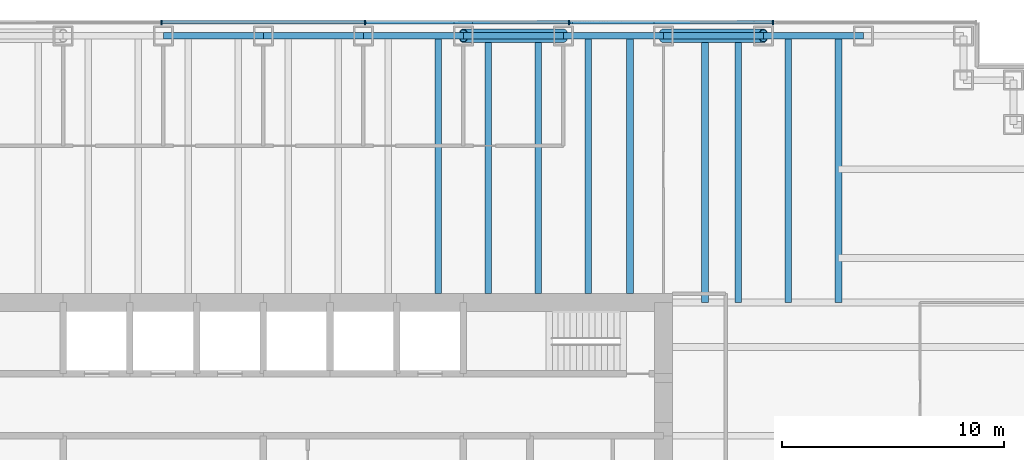
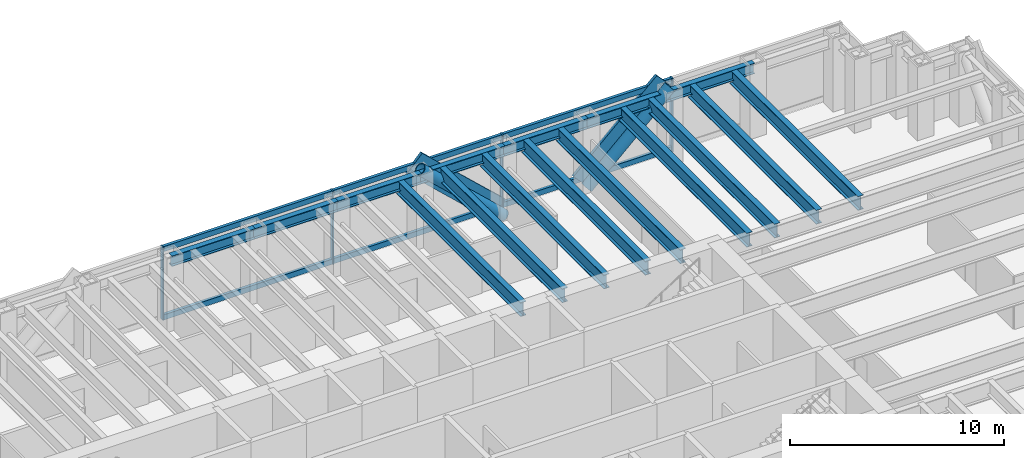
# One storey, part 6 of 14: 16 beams, 14 members, 1 element without a shape of its own.
"""IFC4 building model written with IfcOpenShell, lengths in metres."""

import ifcopenshell
import ifcopenshell.guid

model = None  # the IFC model being written
_history = None  # IfcOwnerHistory: only IFC2X3 demands one
_inside = {}  # id of a spatial element -> (the spatial element, [elements in it])
_under = {}  # id of a project, library or spatial element -> (it, [spatial elements below it])
_declared = {}  # id of a project -> (the project, [libraries it declares])
_typed = {}  # id of a type object -> (the type object, [elements of that type])
_made_of = {}  # id of a material, layer set ... -> (it, [elements and type objects made of it])


def new_model(schema):
    """Start an empty IFC model of exactly this schema.

    Asked for "IFC4X3", IfcOpenShell would pick the latest addendum, in which some entities
    have other attributes; the version numbers below select the first issue.
    IFC2X3 requires an IfcOwnerHistory on every rooted entity: one is made here for all.
    """
    global model, _history
    if schema == "IFC4X3":
        model = ifcopenshell.file(schema_version=(4, 3, 0, 0))
    else:
        model = ifcopenshell.file(schema=schema)
    _inside.clear()
    _under.clear()
    _declared.clear()
    _typed.clear()
    _made_of.clear()
    _history = None
    if model.schema == "IFC2X3":
        org = make("IfcOrganization", Name="unknown")
        user = make(
            "IfcPersonAndOrganization",
            ThePerson=make("IfcPerson", FamilyName="unknown"),
            TheOrganization=org,
        )
        app = make(
            "IfcApplication",
            ApplicationDeveloper=org,
            Version="unknown",
            ApplicationFullName="unknown",
            ApplicationIdentifier="unknown",
        )
        _history = make(
            "IfcOwnerHistory",
            OwningUser=user,
            OwningApplication=app,
            ChangeAction="ADDED",
            CreationDate=0,
        )
    return model


def make(cls, **values):
    """One entity of the class cls with the attributes given. An attribute that is None is left unset."""
    return model.create_entity(
        cls, **{name: value for name, value in values.items() if value is not None}
    )


def rooted(cls, **values):
    """An entity with a GlobalId (a new one), such as an element, a storey or a relation."""
    return make(cls, GlobalId=ifcopenshell.guid.new(), OwnerHistory=_history, **values)


def si_unit(unit_type, name, prefix=None):
    """IfcSIUnit, for example si_unit("LENGTHUNIT", "METRE", prefix="MILLI")."""
    return make("IfcSIUnit", UnitType=unit_type, Prefix=prefix, Name=name)


def assignment(units):
    """IfcUnitAssignment: the units of a project."""
    return None if units is None else make("IfcUnitAssignment", Units=units)


def point(xyz):
    """IfcCartesianPoint."""
    return None if xyz is None else make("IfcCartesianPoint", Coordinates=xyz)


def direction(xyz):
    """IfcDirection."""
    return None if xyz is None else make("IfcDirection", DirectionRatios=xyz)


def frame(location, z_axis=None, x_axis=None):
    """IfcAxis2Placement3D, a coordinate frame: its origin and axes. An axis left out is left unset."""
    return make(
        "IfcAxis2Placement3D",
        Location=point(location),
        Axis=direction(z_axis),
        RefDirection=direction(x_axis),
    )


def frame_2d(location, x_axis=None):
    """IfcAxis2Placement2D, a coordinate frame in the plane: its origin and x axis."""
    return make(
        "IfcAxis2Placement2D", Location=point(location), RefDirection=direction(x_axis)
    )


def origin():
    """The frame at (0, 0, 0) with its axes left unset."""
    return frame((0.0, 0.0, 0.0))


def origin_2d():
    """The frame at (0, 0) in the plane with its x axis left unset."""
    return frame_2d((0.0, 0.0))


def place(relative_to, where):
    """IfcLocalPlacement: puts the frame where relative to a parent placement (None: the world)."""
    return make(
        "IfcLocalPlacement", PlacementRelTo=relative_to, RelativePlacement=where
    )


def context(
    kind, dimensions, precision=None, world=None, true_north=None, identifier=None
):
    """IfcGeometricRepresentationContext, for example the 3D "Model" context."""
    return make(
        "IfcGeometricRepresentationContext",
        ContextIdentifier=identifier,
        ContextType=kind,
        CoordinateSpaceDimension=dimensions,
        Precision=precision,
        WorldCoordinateSystem=world,
        TrueNorth=true_north,
    )


def subcontext(parent, identifier, kind, view, scale=None):
    """IfcGeometricRepresentationSubContext, for example "Body" below "Model"."""
    return make(
        "IfcGeometricRepresentationSubContext",
        ContextIdentifier=identifier,
        ContextType=kind,
        ParentContext=parent,
        TargetScale=scale,
        TargetView=view,
    )


def project(units=None, contexts=None):
    """IfcProject with its units and contexts."""
    return rooted(
        "IfcProject",
        Name="project",
        RepresentationContexts=contexts,
        UnitsInContext=assignment(units),
    )


def spatial(cls, under=None, at=None, **own):
    """A site, building, storey or space (cls), placed at a placement, below another one or the project."""
    s = rooted(cls, ObjectPlacement=at, **own)
    if under is not None:
        _under.setdefault(under.id(), (under, []))[1].append(s)
    return s


def profile(cls, at=None, kind="AREA", **sizes):
    """A parametric profile (cls). Its sizes go by their IFC names, for example OverallWidth=200.0."""
    return make(cls, ProfileType=kind, Position=at, **sizes)


def rectangle(**sizes):
    """IfcRectangleProfileDef."""
    return profile("IfcRectangleProfileDef", **sizes)


def hollow_circle(**sizes):
    """IfcCircleHollowProfileDef."""
    return profile("IfcCircleHollowProfileDef", **sizes)


def i_section(**sizes):
    """IfcIShapeProfileDef."""
    return profile("IfcIShapeProfileDef", **sizes)


def extrude(swept, where, along, depth):
    """IfcExtrudedAreaSolid: the profile swept, set in the frame where, extruded along a direction by depth."""
    return make(
        "IfcExtrudedAreaSolid",
        SweptArea=swept,
        Position=where,
        ExtrudedDirection=direction(along),
        Depth=depth,
    )


def shape(context_of_items, identifier, shape_type, items):
    """IfcShapeRepresentation: the items that make up one representation, for example the "Body"."""
    return make(
        "IfcShapeRepresentation",
        ContextOfItems=context_of_items,
        RepresentationIdentifier=identifier,
        RepresentationType=shape_type,
        Items=items,
    )


def material(Name=None, Category=None):
    """IfcMaterial."""
    return make("IfcMaterial", Name=Name, Category=Category)


def material_profile(
    of_material, cross_section, Name=None, Category=None, Priority=None
):
    """IfcMaterialProfile: a cross section and its material."""
    return make(
        "IfcMaterialProfile",
        Name=Name,
        Material=of_material,
        Profile=cross_section,
        Priority=Priority,
        Category=Category,
    )


def profile_set(profiles, Name=None, composite=None):
    """IfcMaterialProfileSet."""
    return make(
        "IfcMaterialProfileSet",
        Name=Name,
        MaterialProfiles=profiles,
        CompositeProfile=composite,
    )


def made_of(thing, what):
    """Note that an element or type object is made of a material, layer set ...; save() writes the relation."""
    if what is not None:
        _made_of.setdefault(what.id(), (what, []))[1].append(thing)
    return thing


def type_object(cls, material=None, **own):
    """A type object (cls), such as IfcWallType, which elements share."""
    return made_of(rooted(cls, **own), material)


def element(
    cls,
    number,
    at=None,
    inside=None,
    cuts=None,
    type_object=None,
    material=None,
    context=None,
    identifier="Body",
    shape_type=None,
    held_by="IfcProductDefinitionShape",
    body=None,
    shapes=None,
    **own,
):
    """One element of the class cls, such as IfcWall. Its Tag is "e" and its number.

    at: its placement. inside: the storey or other place that contains it. cuts: it is an
    opening in that element (IfcRelVoidsElement). A single representation is given by context,
    identifier, shape_type and body (its items); several are given by shapes. held_by: the class
    of the entity that holds the representations. save() writes the other relations.
    """
    e = rooted(cls, Tag="e%d" % number, ObjectPlacement=at, **own)
    if body is not None:
        shapes = [shape(context, identifier, shape_type, body)]
    if shapes is not None:
        e.Representation = make(held_by, Representations=shapes)
    if inside is not None:
        _inside.setdefault(inside.id(), (inside, []))[1].append(e)
    if cuts is not None:
        rooted(
            "IfcRelVoidsElement", RelatingBuildingElement=cuts, RelatedOpeningElement=e
        )
    if type_object is not None:
        _typed.setdefault(type_object.id(), (type_object, []))[1].append(e)
    return made_of(e, material)


def aggregate(whole, parts):
    """IfcRelAggregates: a whole, such as a stair, and the parts it consists of."""
    return rooted("IfcRelAggregates", RelatingObject=whole, RelatedObjects=parts)


def save(model, path):
    """Write the relations noted so far, then the file.

    IfcRelAggregates (storeys below a building ...), IfcRelContainedInSpatialStructure (elements
    in a storey), IfcRelDefinesByType, IfcRelAssociatesMaterial and IfcRelDeclares: one each for
    every whole, place, type object, material and project.
    """
    for whole, parts in _under.values():
        aggregate(whole, parts)
    for where, things in _inside.values():
        rooted(
            "IfcRelContainedInSpatialStructure",
            RelatedElements=things,
            RelatingStructure=where,
        )
    for kind, things in _typed.values():
        rooted("IfcRelDefinesByType", RelatedObjects=things, RelatingType=kind)
    for what, things in _made_of.values():
        rooted("IfcRelAssociatesMaterial", RelatedObjects=things, RelatingMaterial=what)
    for by, libraries in _declared.values():
        rooted("IfcRelDeclares", RelatingContext=by, RelatedDefinitions=libraries)
    model.write(path)


model = new_model("IFC4")

# Units and contexts
model_context = context("Model", 3, precision=1e-05, world=origin(), true_north=direction((0.0, 1.0)))
body_context = subcontext(model_context, "Body", "Model", "MODEL_VIEW")
ifc_project = project(units=[si_unit("LENGTHUNIT", "METRE"), si_unit("AREAUNIT", "SQUARE_METRE"), si_unit("VOLUMEUNIT", "CUBIC_METRE"), si_unit("PLANEANGLEUNIT", "RADIAN"), si_unit("MASSUNIT", "GRAM", prefix="KILO")], contexts=[model_context])

# Site, building, storey
site_placement = place(None, origin())
site = spatial("IfcSite", under=ifc_project, at=site_placement, CompositionType="ELEMENT")
building_placement = place(site_placement, origin())
building = spatial("IfcBuilding", under=site, at=building_placement, Name="Rheinbord Bourse Tower", CompositionType="ELEMENT")
storey_placement = place(building_placement, frame((0.0, 0.0, 232.0)))
storey = spatial("IfcBuildingStorey", under=building, at=storey_placement, Name="L52", CompositionType="ELEMENT", Elevation=232.0)

# Curtain wall, members
ifc_material_1 = material(Name="Dark glass and black aluminium", Category="aluminium")
curtain_wall_type = type_object("IfcCurtainWallType", Name="CW2 DARK GLASS CURTAIN WALL", PredefinedType="USERDEFINED", material=ifc_material_1)
curtain_wall_placement = place(storey_placement, origin())
curtain_wall = element("IfcCurtainWall", 1, at=curtain_wall_placement, inside=storey, type_object=curtain_wall_type, Name="Curtain wall CW2 N L52", ObjectType="UNITISED CURTAIN WALL", PredefinedType="USERDEFINED")
ifc_material_2 = material(Name="Black anodised aluminium", Category="aluminium")
ifc_material_profile_1 = material_profile(ifc_material_2, rectangle(XDim=0.159912109375, YDim=1.2099609375, at=origin_2d()), Name="CW2 DIAGONAL MULLION 1210x160")
ifc_profile_set_1 = profile_set([ifc_material_profile_1], Name="Black anodised aluminium")
member_type_1 = type_object("IfcMemberType", Name="CW2 BLACK DIAGONAL MULLION", PredefinedType="USERDEFINED", material=ifc_profile_set_1)
member_1_placement = place(storey_placement, frame((54.0, 44.60009765625, 0.0), z_axis=(0.73105922506, 0.0, 0.682314010889), x_axis=(0.0, 1.0, 0.0)))
member_1 = element("IfcMember", 2, at=member_1_placement, type_object=member_type_1, Name="CW2 diagonal mullion b", ObjectType="DIAGONAL MULLION", PredefinedType="USERDEFINED", context=body_context, shape_type="SweptSolid", body=[
    extrude(rectangle(XDim=0.159912109375, YDim=1.2099609375, at=origin_2d()), origin(), (0.0, 0.0, 1.0), 6.155517578125),
])
member_2_placement = place(storey_placement, frame((49.5, 44.60009765625, 0.0), z_axis=(-0.73105922506, 0.0, 0.682314010889), x_axis=(0.0, -1.0, 0.0)))
member_2 = element("IfcMember", 3, at=member_2_placement, type_object=member_type_1, Name="CW2 diagonal mullion d", ObjectType="DIAGONAL MULLION", PredefinedType="USERDEFINED", context=body_context, shape_type="SweptSolid", body=[
    extrude(rectangle(XDim=0.159912109375, YDim=1.2099609375, at=origin_2d()), origin(), (0.0, 0.0, 1.0), 6.155517578125),
])
ifc_material_3 = material(Name="Black anodised aluminium", Category="aluminium")
ifc_material_profile_2 = material_profile(ifc_material_3, rectangle(XDim=0.219970703125, YDim=0.070068359375, at=origin_2d()), Name="CW2 MULLION 70x220")
ifc_profile_set_2 = profile_set([ifc_material_profile_2], Name="Black anodised aluminium")
member_type_2 = type_object("IfcMemberType", Name="CW2 BLACK MULLION", PredefinedType="MULLION", material=ifc_profile_set_2)
member_3_placement = place(storey_placement, frame((58.928466796875, 44.60009765625, 0.0), z_axis=(0.0, 0.0, 1.0), x_axis=(0.0, -1.0, 0.0)))
member_3 = element("IfcMember", 4, at=member_3_placement, type_object=member_type_2, Name="CW2 mullion 2", PredefinedType="MULLION", context=body_context, shape_type="SweptSolid", body=[
    extrude(rectangle(XDim=0.219970703125, YDim=0.070068359375, at=origin_2d()), origin(), (0.0, 0.0, 1.0), 4.199951171875),
])
member_4_placement = place(storey_placement, frame((49.757080078125, 44.60009765625, 0.0), z_axis=(0.0, 0.0, 1.0), x_axis=(0.0, -1.0, 0.0)))
member_4 = element("IfcMember", 5, at=member_4_placement, type_object=member_type_2, Name="CW2 mullion 3", PredefinedType="MULLION", context=body_context, shape_type="SweptSolid", body=[
    extrude(rectangle(XDim=0.219970703125, YDim=0.070068359375, at=origin_2d()), origin(), (0.0, 0.0, 1.0), 4.199951171875),
])
member_5_placement = place(storey_placement, frame((40.585693359375, 44.60009765625, 0.0), z_axis=(0.0, 0.0, 1.0), x_axis=(0.0, -1.0, 0.0)))
member_5 = element("IfcMember", 6, at=member_5_placement, type_object=member_type_2, Name="CW2 mullion 4", PredefinedType="MULLION", context=body_context, shape_type="SweptSolid", body=[
    extrude(rectangle(XDim=0.219970703125, YDim=0.070068359375, at=origin_2d()), origin(), (0.0, 0.0, 1.0), 4.199951171875),
])
member_6_placement = place(storey_placement, frame((31.414306640625, 44.60009765625, 0.0), z_axis=(0.0, 0.0, 1.0), x_axis=(0.0, -1.0, 0.0)))
member_6 = element("IfcMember", 7, at=member_6_placement, type_object=member_type_2, Name="CW2 mullion 5", PredefinedType="MULLION", context=body_context, shape_type="SweptSolid", body=[
    extrude(rectangle(XDim=0.219970703125, YDim=0.070068359375, at=origin_2d()), origin(), (0.0, 0.0, 1.0), 4.199951171875),
])
ifc_material_4 = material(Name="Black anodised aluminium", Category="aluminium")
ifc_material_profile_3 = material_profile(ifc_material_4, rectangle(XDim=0.159912109375, YDim=0.300048828125, at=origin_2d()), Name="CW2 TRANSOM 300x160")
ifc_profile_set_3 = profile_set([ifc_material_profile_3], Name="Black anodised aluminium")
member_type_3 = type_object("IfcMemberType", Name="CW2 BLACK TRANSOM", PredefinedType="USERDEFINED", material=ifc_profile_set_3)
member_7_placement = place(storey_placement, frame((58.8935546875, 44.60009765625, 0.14990234375), z_axis=(-1.0, 0.0, 0.0), x_axis=(0.0, -1.0, 0.0)))
member_7 = element("IfcMember", 8, at=member_7_placement, type_object=member_type_3, Name="CW2 transom 2.1", ObjectType="TRANSOM", PredefinedType="USERDEFINED", context=body_context, shape_type="SweptSolid", body=[
    extrude(rectangle(XDim=0.159912109375, YDim=0.300048828125, at=origin_2d()), origin(), (0.0, 0.0, 1.0), 9.101318359375),
])
member_8_placement = place(storey_placement, frame((58.8935546875, 44.60009765625, 4.050048828125), z_axis=(-1.0, 0.0, 0.0), x_axis=(0.0, -1.0, 0.0)))
member_8 = element("IfcMember", 9, at=member_8_placement, type_object=member_type_3, Name="CW2 transom 2.2", ObjectType="TRANSOM", PredefinedType="USERDEFINED", context=body_context, shape_type="SweptSolid", body=[
    extrude(rectangle(XDim=0.159912109375, YDim=0.300048828125, at=origin_2d()), origin(), (0.0, 0.0, 1.0), 9.101318359375),
])
member_9_placement = place(storey_placement, frame((49.72216796875, 44.60009765625, 0.14990234375), z_axis=(-1.0, 0.0, 0.0), x_axis=(0.0, -1.0, 0.0)))
member_9 = element("IfcMember", 10, at=member_9_placement, type_object=member_type_3, Name="CW2 transom 3.1", ObjectType="TRANSOM", PredefinedType="USERDEFINED", context=body_context, shape_type="SweptSolid", body=[
    extrude(rectangle(XDim=0.159912109375, YDim=0.300048828125, at=origin_2d()), origin(), (0.0, 0.0, 1.0), 9.1015625),
])
member_10_placement = place(storey_placement, frame((49.72216796875, 44.60009765625, 4.050048828125), z_axis=(-1.0, 0.0, 0.0), x_axis=(0.0, -1.0, 0.0)))
member_10 = element("IfcMember", 11, at=member_10_placement, type_object=member_type_3, Name="CW2 transom 3.2", ObjectType="TRANSOM", PredefinedType="USERDEFINED", context=body_context, shape_type="SweptSolid", body=[
    extrude(rectangle(XDim=0.159912109375, YDim=0.300048828125, at=origin_2d()), origin(), (0.0, 0.0, 1.0), 9.1015625),
])
member_11_placement = place(storey_placement, frame((40.55078125, 44.60009765625, 0.14990234375), z_axis=(-1.0, 0.0, 0.0), x_axis=(0.0, -1.0, 0.0)))
member_11 = element("IfcMember", 12, at=member_11_placement, type_object=member_type_3, Name="CW2 transom 4.1", ObjectType="TRANSOM", PredefinedType="USERDEFINED", context=body_context, shape_type="SweptSolid", body=[
    extrude(rectangle(XDim=0.159912109375, YDim=0.300048828125, at=origin_2d()), origin(), (0.0, 0.0, 1.0), 9.1015625),
])
member_12_placement = place(storey_placement, frame((40.55078125, 44.60009765625, 4.050048828125), z_axis=(-1.0, 0.0, 0.0), x_axis=(0.0, -1.0, 0.0)))
member_12 = element("IfcMember", 13, at=member_12_placement, type_object=member_type_3, Name="CW2 transom 4.2", ObjectType="TRANSOM", PredefinedType="USERDEFINED", context=body_context, shape_type="SweptSolid", body=[
    extrude(rectangle(XDim=0.159912109375, YDim=0.300048828125, at=origin_2d()), origin(), (0.0, 0.0, 1.0), 9.1015625),
])
aggregate(curtain_wall, [member_3, member_4, member_5, member_6, member_7, member_8, member_9, member_10, member_11, member_12, member_1, member_2])

# Beams
ifc_material_5 = material(Name="Steel S460", Category="steel")
ifc_material_profile_4 = material_profile(ifc_material_5, i_section(OverallWidth=0.300048828125, OverallDepth=0.800048828125, WebThickness=0.017578125, FlangeThickness=0.032958984375, at=origin_2d()), Name="HEB 800")
ifc_profile_set_4 = profile_set([ifc_material_profile_4], Name="Steel S460")
beam_type_1 = type_object("IfcBeamType", Name="FLOOR BEAM HEB 800", PredefinedType="BEAM", material=ifc_profile_set_4)
for number, where, z_axis, x_axis, name in (
    (14, (43.875, 44.0, 3.639892578125), (0.0, -1.0, 0.0), (1.0, 0.0, 0.0), "Floor beam N-40.5b L53"),
    (15, (46.125, 44.0, 3.639892578125), (0.0, -1.0, 0.0), (1.0, 0.0, 0.0), "Floor beam N-45a L53"),
    (16, (48.375, 44.0, 3.639892578125), (0.0, -1.0, 0.0), (1.0, 0.0, 0.0), "Floor beam N-45b L53"),
    (17, (50.625, 44.0, 3.639892578125), (0.0, -1.0, 0.0), (1.0, 0.0, 0.0), "Floor beam N-49.5a L53"),
    (18, (52.5, 44.0, 3.639892578125), (0.0, -1.0, 0.0), (1.0, 0.0, 0.0), "Floor beam N-49.5b L53"),
):
    element("IfcBeam", number, at=place(storey_placement, frame(where, z_axis=z_axis, x_axis=x_axis)), inside=storey, type_object=beam_type_1, Name=name, PredefinedType="BEAM", context=body_context, shape_type="SweptSolid", body=[
        extrude(i_section(OverallWidth=0.300048828125, OverallDepth=0.800048828125, WebThickness=0.017578125, FlangeThickness=0.032958984375, at=origin_2d()), origin(), (0.0, 0.0, 1.0), 11.60009765625),
    ])
for number, where, z_axis, x_axis, name in (
    (19, (55.875, 44.0, 3.639892578125), (0.0, -1.0, 0.0), (1.0, 0.0, 0.0), "Floor beam N-54a L53"),
    (20, (57.375, 44.0, 3.639892578125), (0.0, -1.0, 0.0), (1.0, 0.0, 0.0), "Floor beam N-54b L53"),
    (21, (59.625, 44.0, 3.639892578125), (0.0, -1.0, 0.0), (1.0, 0.0, 0.0), "Floor beam N-58.5a L53"),
    (22, (61.875, 44.0, 3.639892578125), (0.0, -1.0, 0.0), (1.0, 0.0, 0.0), "Floor beam N-58.5b L53"),
):
    element("IfcBeam", number, at=place(storey_placement, frame(where, z_axis=z_axis, x_axis=x_axis)), inside=storey, type_object=beam_type_1, Name=name, PredefinedType="BEAM", context=body_context, shape_type="SweptSolid", body=[
        extrude(i_section(OverallWidth=0.300048828125, OverallDepth=0.800048828125, WebThickness=0.017578125, FlangeThickness=0.032958984375, at=origin_2d()), origin(), (0.0, 0.0, 1.0), 12.0),
    ])

# Members
ifc_material_6 = material(Name="Steel S460", Category="steel")
ifc_material_profile_5 = material_profile(ifc_material_6, hollow_circle(Radius=0.304931640625, WallThickness=0.0400390625, at=origin_2d()), Name="CHS 610x40")
ifc_profile_set_5 = profile_set([ifc_material_profile_5], Name="Steel S460")
member_type_4 = type_object("IfcMemberType", Name="MEGABRACE CHS 610x40", PredefinedType="BRACE", material=ifc_profile_set_5)
for number, where, z_axis, x_axis, name in (
    (23, (54.0, 44.0, 0.0), (0.73105922506, 0.0, 0.682314010889), (0.0, 1.0, 0.0), "Megabrace N face line b L52"),
    (24, (49.5, 44.0, 0.0), (-0.73105922506, 0.0, 0.682314010889), (0.0, -1.0, 0.0), "Megabrace N face line d L52"),
):
    element("IfcMember", number, at=place(storey_placement, frame(where, z_axis=z_axis, x_axis=x_axis)), inside=storey, type_object=member_type_4, Name=name, PredefinedType="BRACE", context=body_context, shape_type="SweptSolid", body=[
        extrude(hollow_circle(Radius=0.304931640625, WallThickness=0.0400390625, at=origin_2d()), origin(), (0.0, 0.0, 1.0), 6.155517578125),
    ])

# Beams
ifc_material_7 = material(Name="Steel S460", Category="steel")
ifc_material_profile_6 = material_profile(ifc_material_7, i_section(OverallWidth=0.300048828125, OverallDepth=0.60009765625, WebThickness=0.015380859375, FlangeThickness=0.030029296875, at=origin_2d()), Name="HEB 600")
ifc_profile_set_6 = profile_set([ifc_material_profile_6], Name="Steel S460")
beam_type_2 = type_object("IfcBeamType", Name="SPANDREL HEB 600", PredefinedType="SPANDREL", material=ifc_profile_set_6)
for number, where, z_axis, x_axis, name in (
    (25, (63.0, 44.0, 3.739990234375), (-1.0, 0.0, 0.0), (0.0, -1.0, 0.0), "Spandrel N-63-N-58.5 under L53"),
    (26, (58.5, 44.0, 3.739990234375), (-1.0, 0.0, 0.0), (0.0, -1.0, 0.0), "Spandrel N-58.5-N-54 under L53"),
    (27, (54.0, 44.0, 3.739990234375), (-1.0, 0.0, 0.0), (0.0, -1.0, 0.0), "Spandrel N-54-N-49.5 under L53"),
    (28, (49.5, 44.0, 3.739990234375), (-1.0, 0.0, 0.0), (0.0, -1.0, 0.0), "Spandrel N-49.5-N-45 under L53"),
    (29, (45.0, 44.0, 3.739990234375), (-1.0, 0.0, 0.0), (0.0, -1.0, 0.0), "Spandrel N-45-N-40.5 under L53"),
    (30, (40.5, 44.0, 3.739990234375), (-1.0, 0.0, 0.0), (0.0, -1.0, 0.0), "Spandrel N-40.5-N-36 under L53"),
    (31, (36.0, 44.0, 3.739990234375), (-1.0, 0.0, 0.0), (0.0, -1.0, 0.0), "Spandrel N-36-N-31.5 under L53"),
):
    element("IfcBeam", number, at=place(storey_placement, frame(where, z_axis=z_axis, x_axis=x_axis)), inside=storey, type_object=beam_type_2, Name=name, PredefinedType="SPANDREL", context=body_context, shape_type="SweptSolid", body=[
        extrude(i_section(OverallWidth=0.300048828125, OverallDepth=0.60009765625, WebThickness=0.015380859375, FlangeThickness=0.030029296875, at=origin_2d()), origin(), (0.0, 0.0, 1.0), 4.5),
    ])

save(model, "model.ifc")
